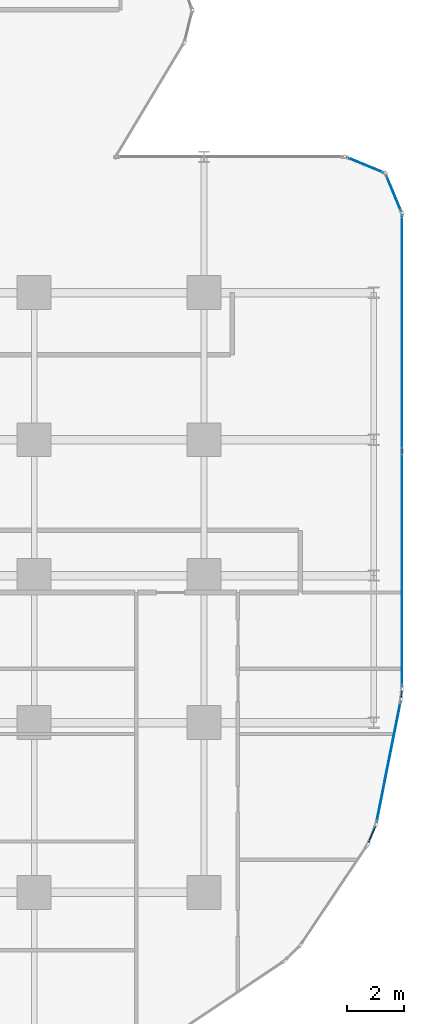
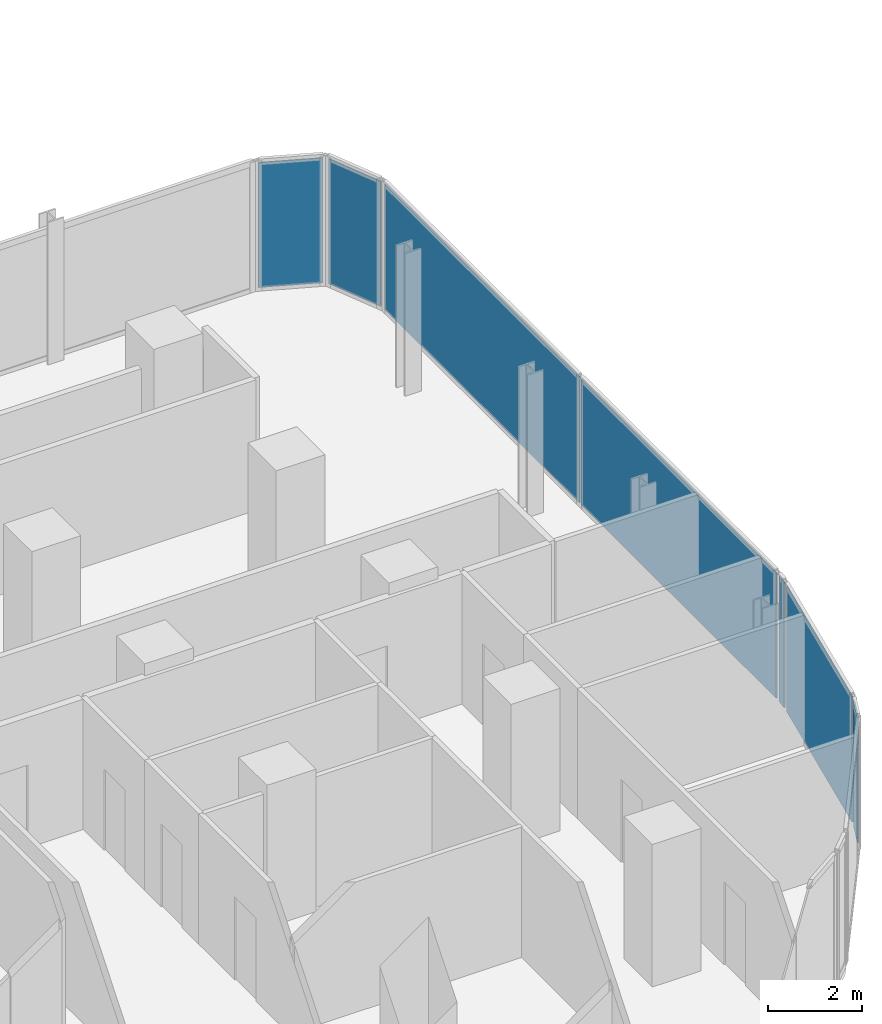
# One storey, part 25 of 33: 7 plates, 6 elements without a shape of their own.
"""IFC4 building model written with IfcOpenShell, lengths in metres."""

from ifc_helpers import new_model, si_unit, direction, frame, origin, origin_2d, place, context, subcontext, project, spatial, rectangle, extrude, material, layer, layer_set, type_object, element, aggregate, save


model = new_model("IFC4")

# Units and contexts
model_context = context("Model", 3, precision=1e-05, world=origin(), true_north=direction((0.0, 1.0)))
body_context = subcontext(model_context, "Body", "Model", "MODEL_VIEW")
ifc_project = project(units=[si_unit("LENGTHUNIT", "METRE"), si_unit("AREAUNIT", "SQUARE_METRE"), si_unit("VOLUMEUNIT", "CUBIC_METRE"), si_unit("PLANEANGLEUNIT", "RADIAN"), si_unit("MASSUNIT", "GRAM", prefix="KILO")], contexts=[model_context])

# Site, building, storey
site_placement = place(None, origin())
site = spatial("IfcSite", under=ifc_project, at=site_placement, CompositionType="ELEMENT")
building_placement = place(site_placement, origin())
building = spatial("IfcBuilding", under=site, at=building_placement, Name="Keshet Zoharim Tower", CompositionType="ELEMENT")
storey_placement = place(building_placement, frame((0.0, 0.0, 73.800048828125)))
storey = spatial("IfcBuildingStorey", under=building, at=storey_placement, Name="L17", CompositionType="ELEMENT", Elevation=73.800048828125)

# Curtain wall, plate
ifc_material_1 = material(Name="Aluminium 6063-T6", Category="aluminium")
ifc_layer_1 = layer(ifc_material_1, 0.179931640625)
ifc_layer_set_1 = layer_set([ifc_layer_1], Name="Aluminium 6063-T6")
curtain_wall_type_1 = type_object("IfcCurtainWallType", Name="CW-SYS-01", PredefinedType="NOTDEFINED", material=ifc_layer_set_1)
curtain_wall_1_placement = place(storey_placement, origin())
curtain_wall_1 = element("IfcCurtainWall", 1, at=curtain_wall_1_placement, inside=storey, type_object=curtain_wall_type_1, Name="L17 Unitised Curtain Wall 19", PredefinedType="NOTDEFINED")
ifc_material_2 = material(Name="Insulated Low-E Clear Glass", Category="glass")
ifc_layer_2 = layer(ifc_material_2, 0.035888671875)
ifc_layer_set_2 = layer_set([ifc_layer_2], Name="Insulated Low-E Clear Glass")
plate_type_1 = type_object("IfcPlateType", Name="CWP-01", PredefinedType="CURTAIN_PANEL", material=ifc_layer_set_2)
plate_1_placement = place(storey_placement, frame((68.9384765625, 8.75439453125, 0.06982421875), z_axis=(0.0, 0.0, 1.0), x_axis=(-0.383068349739, -0.923720000557, 0.0)))
plate_1 = element("IfcPlate", 2, at=plate_1_placement, type_object=plate_type_1, Name="CW-01 panel 1.1", PredefinedType="CURTAIN_PANEL", context=body_context, shape_type="SweptSolid", body=[
    extrude(rectangle(XDim=0.640625, YDim=0.035888671875, at=origin_2d()), origin(), (0.0, 0.0, 1.0), 3.2451171875),
])
aggregate(curtain_wall_1, [plate_1])

ifc_layer_3 = layer(ifc_material_1, 0.169921875)
ifc_layer_set_3 = layer_set([ifc_layer_3], Name="Aluminium 6063-T6")
curtain_wall_type_2 = type_object("IfcCurtainWallType", Name="CW-SYS-02", PredefinedType="NOTDEFINED", material=ifc_layer_set_3)
curtain_wall_2_placement = place(storey_placement, origin())
curtain_wall_2 = element("IfcCurtainWall", 3, at=curtain_wall_2_placement, inside=storey, type_object=curtain_wall_type_2, Name="L17 Unitised Curtain Wall 14", PredefinedType="NOTDEFINED")
ifc_layer_4 = layer(ifc_material_2, 0.031982421875)
ifc_layer_set_4 = layer_set([ifc_layer_4], Name="Insulated Low-E Clear Glass")
plate_type_2 = type_object("IfcPlateType", Name="CWP-02", PredefinedType="CURTAIN_PANEL", material=ifc_layer_set_4)
plate_2_placement = place(storey_placement, frame((68.70703125, 32.406982421875, 0.06982421875), z_axis=(0.0, 0.0, 1.0), x_axis=(0.92380975372, -0.382851849847, 0.0)))
plate_2 = element("IfcPlate", 4, at=plate_2_placement, type_object=plate_type_2, Name="CW-02 panel 1.1", PredefinedType="CURTAIN_PANEL", context=body_context, shape_type="SweptSolid", body=[
    extrude(rectangle(XDim=1.390625, YDim=0.031982421875, at=origin_2d()), origin(), (0.0, 0.0, 1.0), 3.2451171875),
])
aggregate(curtain_wall_2, [plate_2])

curtain_wall_3_placement = place(storey_placement, origin())
curtain_wall_3 = element("IfcCurtainWall", 5, at=curtain_wall_3_placement, inside=storey, type_object=curtain_wall_type_2, Name="L17 Unitised Curtain Wall 15", PredefinedType="NOTDEFINED")
plate_3_placement = place(storey_placement, frame((69.70703125, 31.406982421875, 0.06982421875), z_axis=(0.0, 0.0, 1.0), x_axis=(0.382851849847, -0.92380975372, 0.0)))
plate_3 = element("IfcPlate", 6, at=plate_3_placement, type_object=plate_type_2, Name="CW-02 panel 1.1", PredefinedType="CURTAIN_PANEL", context=body_context, shape_type="SweptSolid", body=[
    extrude(rectangle(XDim=1.390625, YDim=0.031982421875, at=origin_2d()), origin(), (0.0, 0.0, 1.0), 3.2451171875),
])
aggregate(curtain_wall_3, [plate_3])

# Curtain wall, plates
curtain_wall_4_placement = place(storey_placement, origin())
curtain_wall_4 = element("IfcCurtainWall", 7, at=curtain_wall_4_placement, inside=storey, type_object=curtain_wall_type_2, Name="L17 Unitised Curtain Wall 16", PredefinedType="NOTDEFINED")
plate_4_placement = place(storey_placement, frame((70.0, 26.481689453125, 0.06982421875), z_axis=(0.0, 0.0, 1.0), x_axis=(0.0, -1.0, 0.0)))
plate_4 = element("IfcPlate", 8, at=plate_4_placement, type_object=plate_type_2, Name="CW-02 panel 1.1", PredefinedType="CURTAIN_PANEL", context=body_context, shape_type="SweptSolid", body=[
    extrude(rectangle(XDim=8.29638671875, YDim=0.031982421875, at=origin_2d()), origin(), (0.0, 0.0, 1.0), 3.2451171875),
])
plate_5_placement = place(storey_placement, frame((70.0, 18.115234375, 0.06982421875), z_axis=(0.0, 0.0, 1.0), x_axis=(0.0, -1.0, 0.0)))
plate_5 = element("IfcPlate", 9, at=plate_5_placement, type_object=plate_type_2, Name="CW-02 panel 2.1", PredefinedType="CURTAIN_PANEL", context=body_context, shape_type="SweptSolid", body=[
    extrude(rectangle(XDim=8.29638671875, YDim=0.031982421875, at=origin_2d()), origin(), (0.0, 0.0, 1.0), 3.2451171875),
])
aggregate(curtain_wall_4, [plate_4, plate_5])

# Curtain wall, plate
curtain_wall_5_placement = place(storey_placement, origin())
curtain_wall_5 = element("IfcCurtainWall", 10, at=curtain_wall_5_placement, inside=storey, type_object=curtain_wall_type_2, Name="L17 Unitised Curtain Wall 17", PredefinedType="NOTDEFINED")
plate_6_placement = place(storey_placement, frame((69.98095703125, 13.701904296875, 0.06982421875), z_axis=(0.0, 0.0, 1.0), x_axis=(-0.096976648633, -0.995286657009, 0.0)))
plate_6 = element("IfcPlate", 11, at=plate_6_placement, type_object=plate_type_2, Name="CW-02 panel 1.1", PredefinedType="CURTAIN_PANEL", context=body_context, shape_type="SweptSolid", body=[
    extrude(rectangle(XDim=0.251953125, YDim=0.031982421875, at=origin_2d()), origin(), (0.0, 0.0, 1.0), 3.2451171875),
])
aggregate(curtain_wall_5, [plate_6])

curtain_wall_6_placement = place(storey_placement, origin())
curtain_wall_6 = element("IfcCurtainWall", 12, at=curtain_wall_6_placement, inside=storey, type_object=curtain_wall_type_2, Name="L17 Unitised Curtain Wall 18", PredefinedType="NOTDEFINED")
plate_7_placement = place(storey_placement, frame((69.52490234375, 11.31103515625, 0.06982421875), z_axis=(0.0, 0.0, 1.0), x_axis=(-0.195171279072, -0.98076917357, 0.0)))
plate_7 = element("IfcPlate", 13, at=plate_7_placement, type_object=plate_type_2, Name="CW-02 panel 1.1", PredefinedType="CURTAIN_PANEL", context=body_context, shape_type="SweptSolid", body=[
    extrude(rectangle(XDim=4.338134765625, YDim=0.031982421875, at=origin_2d()), origin(), (0.0, 0.0, 1.0), 3.2451171875),
])
aggregate(curtain_wall_6, [plate_7])

save(model, "model.ifc")
